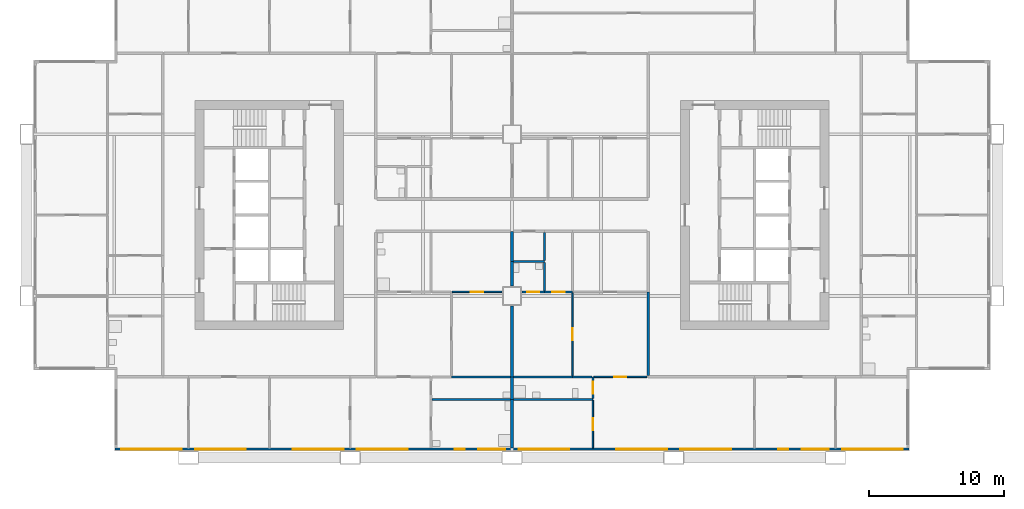
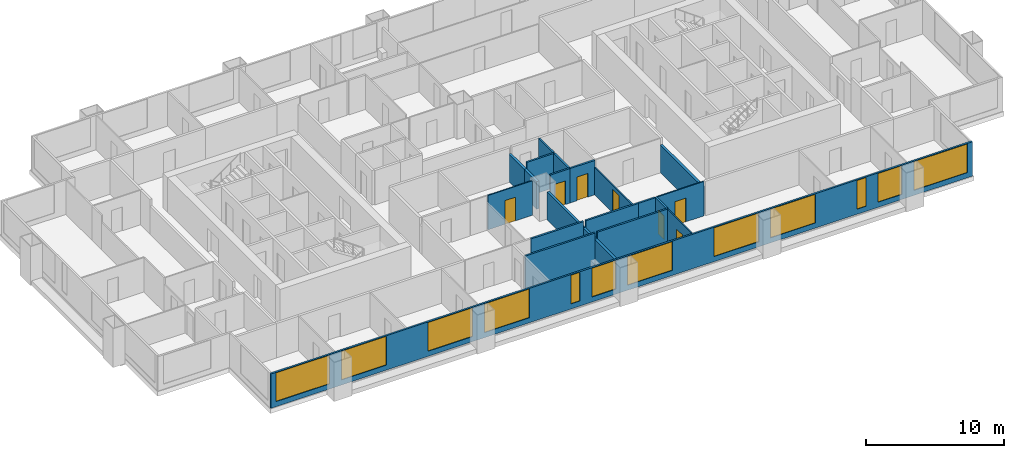
# One storey, part 5 of 11: 22 walls, 12 windows, 7 doors, 19 openings.
"""IFC4 building model written with IfcOpenShell, lengths in metres."""

from ifc_helpers import new_model, si_unit, direction, frame, frame_2d, origin, place, context, subcontext, project, spatial, rectangle, extrude, material, layer, layer_set, type_object, element, fill, save


model = new_model("IFC4")

# Units and contexts
model_context = context("Model", 3, precision=1e-05, world=origin(), true_north=direction((0.0, 1.0)))
body_context = subcontext(model_context, "Body", "Model", "MODEL_VIEW")
ifc_project = project(units=[si_unit("LENGTHUNIT", "METRE"), si_unit("AREAUNIT", "SQUARE_METRE"), si_unit("VOLUMEUNIT", "CUBIC_METRE"), si_unit("PLANEANGLEUNIT", "RADIAN"), si_unit("MASSUNIT", "GRAM", prefix="KILO")], contexts=[model_context])

# Site, building, storey
site_placement = place(None, origin())
site = spatial("IfcSite", under=ifc_project, at=site_placement, CompositionType="ELEMENT")
building_placement = place(site_placement, origin())
building = spatial("IfcBuilding", under=site, at=building_placement, Name="Kitamizu Gate Tower and Museum", CompositionType="ELEMENT")
storey_placement = place(building_placement, frame((0.0, 0.0, 103.5)))
storey = spatial("IfcBuildingStorey", under=building, at=storey_placement, Name="L26", CompositionType="ELEMENT", Elevation=103.5)

# Wall, opening, door
ifc_material_1 = material(Name="Gypsum board on galvanised stud")
ifc_layer_1 = layer(ifc_material_1, 0.10009765625)
ifc_layer_set_1 = layer_set([ifc_layer_1], Name="Gypsum board on galvanised stud")
wall_type_1 = type_object("IfcWallType", Name="Partition 100 NOT RATED", PredefinedType="PARTITIONING", material=ifc_layer_set_1)
wall_1_placement = place(storey_placement, frame((35.25, 24.300048828125, 0.0), z_axis=(0.0, 0.0, 1.0), x_axis=(-1.0, 0.0, 0.0)))
wall_1 = element("IfcWall", 1, at=wall_1_placement, inside=storey, type_object=wall_type_1, Name="Partition L26-022", PredefinedType="PARTITIONING", context=body_context, shape_type="SweptSolid", body=[
    extrude(rectangle(XDim=3.699951171875, YDim=0.10009765625, at=frame_2d((1.85009765625, 0.0))), origin(), (0.0, 0.0, 1.0), 3.050048828125),
])
opening_1_placement = place(wall_1_placement, frame((1.39990234375, 0.0, 0.0)))
opening_1 = element("IfcOpeningElement", 2, at=opening_1_placement, cuts=wall_1, Name="Opening L26-010", PredefinedType="OPENING", context=body_context, shape_type="SweptSolid", body=[
    extrude(rectangle(XDim=0.89990234375, YDim=2.10009765625, at=frame_2d((0.449951171875, 1.050048828125))), frame((0.0, 0.06005859375, 0.0), z_axis=(0.0, -1.0, 0.0), x_axis=(1.0, 0.0, 0.0)), (0.0, 0.0, 1.0), 0.1201171875),
])
ifc_material_2 = material(Name="Timber door set", Category="wood")
door_type_1 = type_object("IfcDoorType", Name="Room door 900", OperationType="NOTDEFINED", PredefinedType="DOOR", material=ifc_material_2)
door_1_placement = place(opening_1_placement, frame((0.89990234375, 0.0, 0.0), x_axis=(-1.0, 0.0, 0.0)))
door_1 = element("IfcDoor", 3, at=door_1_placement, inside=storey, type_object=door_type_1, Name="Door L26-010", OperationType="SINGLE_SWING_LEFT", OverallHeight=2.10009765625, OverallWidth=0.89990234375, PredefinedType="DOOR", context=body_context, shape_type="SweptSolid", body=[
    extrude(rectangle(XDim=0.89990234375, YDim=2.10009765625, at=frame_2d((0.449951171875, 1.050048828125))), frame((0.0, 0.02490234375, 0.0), z_axis=(0.0, -1.0, 0.0), x_axis=(1.0, 0.0, 0.0)), (0.0, 0.0, 1.0), 0.050048828125),
])
fill(opening_1, door_1)

wall_2_placement = place(storey_placement, frame((42.0, 12.719970703125, 0.0), z_axis=(0.0, 0.0, 1.0), x_axis=(0.0, 1.0, 0.0)))
wall_2 = element("IfcWall", 4, at=wall_2_placement, inside=storey, type_object=wall_type_1, Name="Partition L26-050", PredefinedType="PARTITIONING", context=body_context, shape_type="SweptSolid", body=[
    extrude(rectangle(XDim=3.525146484375, YDim=0.10009765625, at=frame_2d((1.7626953125, 0.0))), origin(), (0.0, 0.0, 1.0), 3.050048828125),
])
opening_2_placement = place(wall_2_placement, frame((1.3125, 0.0, 0.0)))
opening_2 = element("IfcOpeningElement", 5, at=opening_2_placement, cuts=wall_2, Name="Opening L26-022", PredefinedType="OPENING", context=body_context, shape_type="SweptSolid", body=[
    extrude(rectangle(XDim=0.89990234375, YDim=2.10009765625, at=frame_2d((0.449951171875, 1.050048828125))), frame((0.0, 0.06005859375, 0.0), z_axis=(0.0, -1.0, 0.0), x_axis=(1.0, 0.0, 0.0)), (0.0, 0.0, 1.0), 0.1201171875),
])
door_2_placement = place(opening_2_placement, origin())
door_2 = element("IfcDoor", 6, at=door_2_placement, inside=storey, type_object=door_type_1, Name="Door L26-022", OperationType="SINGLE_SWING_LEFT", OverallHeight=2.10009765625, OverallWidth=0.89990234375, PredefinedType="DOOR", context=body_context, shape_type="SweptSolid", body=[
    extrude(rectangle(XDim=0.89990234375, YDim=2.10009765625, at=frame_2d((0.449951171875, 1.050048828125))), frame((0.0, 0.02490234375, 0.0), z_axis=(0.0, -1.0, 0.0), x_axis=(1.0, 0.0, 0.0)), (0.0, 0.0, 1.0), 0.050048828125),
])
fill(opening_2, door_2)

wall_3_placement = place(storey_placement, frame((46.0, 18.0, 0.0), z_axis=(0.0, 0.0, 1.0), x_axis=(-1.0, 0.0, 0.0)))
wall_3 = element("IfcWall", 7, at=wall_3_placement, inside=storey, type_object=wall_type_1, Name="Partition L26-055", PredefinedType="PARTITIONING", context=body_context, shape_type="SweptSolid", body=[
    extrude(rectangle(XDim=3.925048828125, YDim=0.10009765625, at=frame_2d((1.96240234375, 0.0))), origin(), (0.0, 0.0, 1.0), 3.050048828125),
])
opening_3_placement = place(wall_3_placement, frame((1.512451171875, 0.0, 0.0)))
opening_3 = element("IfcOpeningElement", 8, at=opening_3_placement, cuts=wall_3, Name="Opening L26-023", PredefinedType="OPENING", context=body_context, shape_type="SweptSolid", body=[
    extrude(rectangle(XDim=0.89990234375, YDim=2.10009765625, at=frame_2d((0.449951171875, 1.050048828125))), frame((0.0, 0.06005859375, 0.0), z_axis=(0.0, -1.0, 0.0), x_axis=(1.0, 0.0, 0.0)), (0.0, 0.0, 1.0), 0.1201171875),
])
door_3_placement = place(opening_3_placement, frame((0.89990234375, 0.0, 0.0), x_axis=(-1.0, 0.0, 0.0)))
door_3 = element("IfcDoor", 9, at=door_3_placement, inside=storey, type_object=door_type_1, Name="Door L26-023", OperationType="SINGLE_SWING_LEFT", OverallHeight=2.10009765625, OverallWidth=0.89990234375, PredefinedType="DOOR", context=body_context, shape_type="SweptSolid", body=[
    extrude(rectangle(XDim=0.89990234375, YDim=2.10009765625, at=frame_2d((0.449951171875, 1.050048828125))), frame((0.0, 0.02490234375, 0.0), z_axis=(0.0, -1.0, 0.0), x_axis=(1.0, 0.0, 0.0)), (0.0, 0.0, 1.0), 0.050048828125),
])
fill(opening_3, door_3)

wall_4_placement = place(storey_placement, frame((40.5, 18.074951171875, 0.0), z_axis=(0.0, 0.0, 1.0), x_axis=(0.0, 1.0, 0.0)))
wall_4 = element("IfcWall", 10, at=wall_4_placement, inside=storey, type_object=wall_type_1, Name="Partition L26-061", PredefinedType="PARTITIONING", context=body_context, shape_type="SweptSolid", body=[
    extrude(rectangle(XDim=6.150146484375, YDim=0.10009765625, at=frame_2d((3.0751953125, 0.0))), origin(), (0.0, 0.0, 1.0), 2.449951171875),
])
opening_4_placement = place(wall_4_placement, frame((2.625, 0.0, 0.0)))
opening_4 = element("IfcOpeningElement", 11, at=opening_4_placement, cuts=wall_4, Name="Opening L26-024", PredefinedType="OPENING", context=body_context, shape_type="SweptSolid", body=[
    extrude(rectangle(XDim=0.89990234375, YDim=2.10009765625, at=frame_2d((0.449951171875, 1.050048828125))), frame((0.0, 0.06005859375, 0.0), z_axis=(0.0, -1.0, 0.0), x_axis=(1.0, 0.0, 0.0)), (0.0, 0.0, 1.0), 0.1201171875),
])
door_4_placement = place(opening_4_placement, origin())
door_4 = element("IfcDoor", 12, at=door_4_placement, inside=storey, type_object=door_type_1, Name="Door L26-024", OperationType="SINGLE_SWING_LEFT", OverallHeight=2.10009765625, OverallWidth=0.89990234375, PredefinedType="DOOR", context=body_context, shape_type="SweptSolid", body=[
    extrude(rectangle(XDim=0.89990234375, YDim=2.10009765625, at=frame_2d((0.449951171875, 1.050048828125))), frame((0.0, 0.02490234375, 0.0), z_axis=(0.0, -1.0, 0.0), x_axis=(1.0, 0.0, 0.0)), (0.0, 0.0, 1.0), 0.050048828125),
])
fill(opening_4, door_4)

# Walls
ifc_material_3 = material(Name="Gypsum board on galvanised stud")
ifc_layer_2 = layer(ifc_material_3, 0.14990234375)
ifc_layer_set_2 = layer_set([ifc_layer_2], Name="Gypsum board on galvanised stud")
wall_type_2 = type_object("IfcWallType", Name="Partition 150", PredefinedType="PARTITIONING", material=ifc_layer_set_2)
wall_5_placement = place(storey_placement, frame((35.89990234375, 16.320068359375, 0.0), z_axis=(0.0, 0.0, 1.0), x_axis=(-1.0, 0.0, 0.0)))
element("IfcWall", 13, at=wall_5_placement, inside=storey, type_object=wall_type_2, Name="Partition L26-012", PredefinedType="PARTITIONING", context=body_context, shape_type="SweptSolid", body=[
    extrude(rectangle(XDim=5.824951171875, YDim=0.14990234375, at=frame_2d((2.91259765625, 0.0))), origin(), (0.0, 0.0, 1.0), 3.050048828125),
])
wall_6_placement = place(storey_placement, frame((35.89990234375, 18.0, 0.0), z_axis=(0.0, 0.0, 1.0), x_axis=(-1.0, 0.0, 0.0)))
element("IfcWall", 14, at=wall_6_placement, inside=storey, type_object=wall_type_2, Name="Partition L26-015", PredefinedType="PARTITIONING", context=body_context, shape_type="SweptSolid", body=[
    extrude(rectangle(XDim=4.39990234375, YDim=0.14990234375, at=frame_2d((2.199951171875, 0.0))), origin(), (0.0, 0.0, 1.0), 3.050048828125),
])
wall_7_placement = place(storey_placement, frame((42.0, 16.320068359375, 0.0), z_axis=(0.0, 0.0, 1.0), x_axis=(-1.0, 0.0, 0.0)))
element("IfcWall", 15, at=wall_7_placement, inside=storey, type_object=wall_type_2, Name="Partition L26-049", PredefinedType="PARTITIONING", context=body_context, shape_type="SweptSolid", body=[
    extrude(rectangle(XDim=5.89990234375, YDim=0.14990234375, at=frame_2d((2.949951171875, 0.0))), origin(), (0.0, 0.0, 1.0), 3.050048828125),
])

# Wall, opening, door
wall_8_placement = place(storey_placement, frame((42.0, 16.39501953125, 0.0), z_axis=(0.0, 0.0, 1.0), x_axis=(0.0, 1.0, 0.0)))
wall_8 = element("IfcWall", 16, at=wall_8_placement, inside=storey, type_object=wall_type_2, Name="Partition L26-051", PredefinedType="PARTITIONING", context=body_context, shape_type="SweptSolid", body=[
    extrude(rectangle(XDim=1.60498046875, YDim=0.14990234375, at=frame_2d((0.802490234375, 0.0))), origin(), (0.0, 0.0, 1.0), 3.050048828125),
])
opening_5_placement = place(wall_8_placement, frame((0.3525390625, 0.0, 0.0)))
opening_5 = element("IfcOpeningElement", 17, at=opening_5_placement, cuts=wall_8, Name="Opening L26-021", PredefinedType="OPENING", context=body_context, shape_type="SweptSolid", body=[
    extrude(rectangle(XDim=0.89990234375, YDim=2.10009765625, at=frame_2d((0.449951171875, 1.050048828125))), frame((0.0, 0.0849609375, 0.0), z_axis=(0.0, -1.0, 0.0), x_axis=(1.0, 0.0, 0.0)), (0.0, 0.0, 1.0), 0.169921875),
])
ifc_material_4 = material(Name="Timber door set", Category="wood")
door_type_2 = type_object("IfcDoorType", Name="Bathroom door 900", OperationType="NOTDEFINED", PredefinedType="DOOR", material=ifc_material_4)
door_5_placement = place(opening_5_placement, origin())
door_5 = element("IfcDoor", 18, at=door_5_placement, inside=storey, type_object=door_type_2, Name="Bathroom door L26-021", OperationType="SINGLE_SWING_RIGHT", OverallHeight=2.10009765625, OverallWidth=0.89990234375, PredefinedType="DOOR", context=body_context, shape_type="SweptSolid", body=[
    extrude(rectangle(XDim=0.89990234375, YDim=2.10009765625, at=frame_2d((0.449951171875, 1.050048828125))), frame((0.0, 0.02490234375, 0.0), z_axis=(0.0, -1.0, 0.0), x_axis=(1.0, 0.0, 0.0)), (0.0, 0.0, 1.0), 0.050048828125),
])
fill(opening_5, door_5)

# Walls
wall_9_placement = place(storey_placement, frame((40.5, 18.0, 0.0), z_axis=(0.0, 0.0, 1.0), x_axis=(-1.0, 0.0, 0.0)))
element("IfcWall", 19, at=wall_9_placement, inside=storey, type_object=wall_type_2, Name="Partition L26-052", PredefinedType="PARTITIONING", context=body_context, shape_type="SweptSolid", body=[
    extrude(rectangle(XDim=4.39990234375, YDim=0.14990234375, at=frame_2d((2.199951171875, 0.0))), origin(), (0.0, 0.0, 1.0), 3.050048828125),
])
wall_10_placement = place(storey_placement, frame((41.925048828125, 18.0, 0.0), z_axis=(0.0, 0.0, 1.0), x_axis=(-1.0, 0.0, 0.0)))
element("IfcWall", 20, at=wall_10_placement, inside=storey, type_object=wall_type_2, Name="Partition L26-053", PredefinedType="PARTITIONING", context=body_context, shape_type="SweptSolid", body=[
    extrude(rectangle(XDim=1.425048828125, YDim=0.14990234375, at=frame_2d((0.71240234375, 0.0))), origin(), (0.0, 0.0, 1.0), 3.050048828125),
])

# Wall, opening, door
wall_11_placement = place(storey_placement, frame((38.39990234375, 24.300048828125, 0.0), z_axis=(0.0, 0.0, 1.0), x_axis=(-1.0, 0.0, 0.0)))
wall_11 = element("IfcWall", 21, at=wall_11_placement, inside=storey, type_object=wall_type_2, Name="Partition L26-062", PredefinedType="PARTITIONING", context=body_context, shape_type="SweptSolid", body=[
    extrude(rectangle(XDim=1.64990234375, YDim=0.14990234375, at=frame_2d((0.824951171875, 0.0))), origin(), (0.0, 0.0, 1.0), 3.050048828125),
])
opening_6_placement = place(wall_11_placement, frame((0.375, 0.0, 0.0)))
opening_6 = element("IfcOpeningElement", 22, at=opening_6_placement, cuts=wall_11, Name="Opening L26-025", PredefinedType="OPENING", context=body_context, shape_type="SweptSolid", body=[
    extrude(rectangle(XDim=0.89990234375, YDim=2.10009765625, at=frame_2d((0.449951171875, 1.050048828125))), frame((0.0, 0.0849609375, 0.0), z_axis=(0.0, -1.0, 0.0), x_axis=(1.0, 0.0, 0.0)), (0.0, 0.0, 1.0), 0.169921875),
])
door_6_placement = place(opening_6_placement, frame((0.89990234375, 0.0, 0.0), x_axis=(-1.0, 0.0, 0.0)))
door_6 = element("IfcDoor", 23, at=door_6_placement, inside=storey, type_object=door_type_2, Name="Bathroom door L26-025", OperationType="SINGLE_SWING_LEFT", OverallHeight=2.10009765625, OverallWidth=0.89990234375, PredefinedType="DOOR", context=body_context, shape_type="SweptSolid", body=[
    extrude(rectangle(XDim=0.89990234375, YDim=2.10009765625, at=frame_2d((0.449951171875, 1.050048828125))), frame((0.0, 0.02490234375, 0.0), z_axis=(0.0, -1.0, 0.0), x_axis=(1.0, 0.0, 0.0)), (0.0, 0.0, 1.0), 0.050048828125),
])
fill(opening_6, door_6)

wall_12_placement = place(storey_placement, frame((40.5, 24.300048828125, 0.0), z_axis=(0.0, 0.0, 1.0), x_axis=(-1.0, 0.0, 0.0)))
wall_12 = element("IfcWall", 24, at=wall_12_placement, inside=storey, type_object=wall_type_2, Name="Partition L26-063", PredefinedType="PARTITIONING", context=body_context, shape_type="SweptSolid", body=[
    extrude(rectangle(XDim=2.10009765625, YDim=0.14990234375, at=frame_2d((1.050048828125, 0.0))), origin(), (0.0, 0.0, 1.0), 3.050048828125),
])
opening_7_placement = place(wall_12_placement, frame((0.60009765625, 0.0, 0.0)))
opening_7 = element("IfcOpeningElement", 25, at=opening_7_placement, cuts=wall_12, Name="Opening L26-026", PredefinedType="OPENING", context=body_context, shape_type="SweptSolid", body=[
    extrude(rectangle(XDim=0.89990234375, YDim=2.10009765625, at=frame_2d((0.449951171875, 1.050048828125))), frame((0.0, 0.0849609375, 0.0), z_axis=(0.0, -1.0, 0.0), x_axis=(1.0, 0.0, 0.0)), (0.0, 0.0, 1.0), 0.169921875),
])
door_7_placement = place(opening_7_placement, frame((0.89990234375, 0.0, 0.0), x_axis=(-1.0, 0.0, 0.0)))
door_7 = element("IfcDoor", 26, at=door_7_placement, inside=storey, type_object=door_type_2, Name="Bathroom door L26-026", OperationType="SINGLE_SWING_RIGHT", OverallHeight=2.10009765625, OverallWidth=0.89990234375, PredefinedType="DOOR", context=body_context, shape_type="SweptSolid", body=[
    extrude(rectangle(XDim=0.89990234375, YDim=2.10009765625, at=frame_2d((0.449951171875, 1.050048828125))), frame((0.0, 0.02490234375, 0.0), z_axis=(0.0, -1.0, 0.0), x_axis=(1.0, 0.0, 0.0)), (0.0, 0.0, 1.0), 0.050048828125),
])
fill(opening_7, door_7)

# Walls
wall_13_placement = place(storey_placement, frame((38.39990234375, 26.550048828125, 0.0), z_axis=(0.0, 0.0, 1.0), x_axis=(-1.0, 0.0, 0.0)))
element("IfcWall", 27, at=wall_13_placement, inside=storey, type_object=wall_type_2, Name="Partition L26-066", PredefinedType="PARTITIONING", context=body_context, shape_type="SweptSolid", body=[
    extrude(rectangle(XDim=2.2998046875, YDim=0.14990234375, at=frame_2d((1.14990234375, 0.0))), origin(), (0.0, 0.0, 1.0), 3.050048828125),
])
wall_14_placement = place(storey_placement, frame((38.39990234375, 24.375, 0.0), z_axis=(0.0, 0.0, 1.0), x_axis=(0.0, 1.0, 0.0)))
element("IfcWall", 28, at=wall_14_placement, inside=storey, type_object=wall_type_2, Name="Partition L26-067", PredefinedType="PARTITIONING", context=body_context, shape_type="SweptSolid", body=[
    extrude(rectangle(XDim=2.10009765625, YDim=0.14990234375, at=frame_2d((1.050048828125, 0.0))), origin(), (0.0, 0.0, 1.0), 3.050048828125),
])
wall_15_placement = place(storey_placement, frame((38.39990234375, 26.625, 0.0), z_axis=(0.0, 0.0, 1.0), x_axis=(0.0, 1.0, 0.0)))
element("IfcWall", 29, at=wall_15_placement, inside=storey, type_object=wall_type_2, Name="Partition L26-068", PredefinedType="PARTITIONING", context=body_context, shape_type="SweptSolid", body=[
    extrude(rectangle(XDim=2.074951171875, YDim=0.14990234375, at=frame_2d((1.03759765625, 0.0))), origin(), (0.0, 0.0, 1.0), 3.050048828125),
])
ifc_material_5 = material(Name="Gypsum board on galvanised stud")
ifc_layer_3 = layer(ifc_material_5, 0.199951171875)
ifc_layer_set_3 = layer_set([ifc_layer_3], Name="Gypsum board on galvanised stud")
wall_type_3 = type_object("IfcWallType", Name="Partition 200", PredefinedType="PARTITIONING", material=ifc_layer_set_3)
wall_16_placement = place(storey_placement, frame((36.0, 12.719970703125, 0.0), z_axis=(0.0, 0.0, 1.0), x_axis=(0.0, 1.0, 0.0)))
element("IfcWall", 30, at=wall_16_placement, inside=storey, type_object=wall_type_3, Name="Partition L26-013", PredefinedType="PARTITIONING", context=body_context, shape_type="SweptSolid", body=[
    extrude(rectangle(XDim=3.60009765625, YDim=0.199951171875, at=frame_2d((1.800048828125, 0.0))), origin(), (0.0, 0.0, 1.0), 2.449951171875),
])
wall_17_placement = place(storey_placement, frame((36.0, 16.320068359375, 0.0), z_axis=(0.0, 0.0, 1.0), x_axis=(0.0, 1.0, 0.0)))
element("IfcWall", 31, at=wall_17_placement, inside=storey, type_object=wall_type_3, Name="Partition L26-016", PredefinedType="PARTITIONING", context=body_context, shape_type="SweptSolid", body=[
    extrude(rectangle(XDim=1.679931640625, YDim=0.199951171875, at=frame_2d((0.83984375, 0.0))), origin(), (0.0, 0.0, 1.0), 2.449951171875),
])
wall_18_placement = place(storey_placement, frame((36.0, 18.0, 0.0), z_axis=(0.0, 0.0, 1.0), x_axis=(0.0, 1.0, 0.0)))
element("IfcWall", 32, at=wall_18_placement, inside=storey, type_object=wall_type_3, Name="Partition L26-023", PredefinedType="PARTITIONING", context=body_context, shape_type="SweptSolid", body=[
    extrude(rectangle(XDim=5.25, YDim=0.199951171875, at=frame_2d((2.625, 0.0))), origin(), (0.0, 0.0, 1.0), 2.449951171875),
])
wall_19_placement = place(storey_placement, frame((36.0, 24.75, 0.0), z_axis=(0.0, 0.0, 1.0), x_axis=(0.0, 1.0, 0.0)))
element("IfcWall", 33, at=wall_19_placement, inside=storey, type_object=wall_type_3, Name="Partition L26-027", PredefinedType="PARTITIONING", context=body_context, shape_type="SweptSolid", body=[
    extrude(rectangle(XDim=1.800048828125, YDim=0.199951171875, at=frame_2d((0.89990234375, 0.0))), origin(), (0.0, 0.0, 1.0), 2.449951171875),
])
wall_20_placement = place(storey_placement, frame((36.0, 26.550048828125, 0.0), z_axis=(0.0, 0.0, 1.0), x_axis=(0.0, 1.0, 0.0)))
element("IfcWall", 34, at=wall_20_placement, inside=storey, type_object=wall_type_3, Name="Partition L26-028", PredefinedType="PARTITIONING", context=body_context, shape_type="SweptSolid", body=[
    extrude(rectangle(XDim=2.25, YDim=0.199951171875, at=frame_2d((1.125, 0.0))), origin(), (0.0, 0.0, 1.0), 2.449951171875),
])
wall_21_placement = place(storey_placement, frame((46.10009765625, 18.10009765625, 0.0), z_axis=(0.0, 0.0, 1.0), x_axis=(0.0, 1.0, 0.0)))
element("IfcWall", 35, at=wall_21_placement, inside=storey, type_object=wall_type_3, Name="Partition L26-065", PredefinedType="PARTITIONING", context=body_context, shape_type="SweptSolid", body=[
    extrude(rectangle(XDim=6.199951171875, YDim=0.199951171875, at=frame_2d((3.10009765625, 0.0))), origin(), (0.0, 0.0, 1.0), 2.449951171875),
])

# Wall, openings, windows
ifc_material_6 = material(Name="Bronze anodised aluminium frame with insulated spandrel and tinted glass", Category="aluminium")
ifc_layer_4 = layer(ifc_material_6, 0.14990234375)
ifc_layer_set_4 = layer_set([ifc_layer_4], Name="Bronze anodised aluminium frame with insulated spandrel and tinted glass")
wall_type_4 = type_object("IfcWallType", Name="WINDOW WALL 150 BRONZE FRAME EI 30", PredefinedType="ELEMENTEDWALL", material=ifc_layer_set_4)
wall_22_placement = place(storey_placement, frame((6.56005859375, 12.635009765625, 0.0), z_axis=(0.0, 0.0, 1.0), x_axis=(1.0, 0.0, 0.0)))
wall_22 = element("IfcWall", 36, at=wall_22_placement, inside=storey, type_object=wall_type_4, Name="Window wall south L26", PredefinedType="ELEMENTEDWALL", context=body_context, shape_type="SweptSolid", body=[
    extrude(rectangle(XDim=58.8798828125, YDim=0.14990234375, at=frame_2d((29.43994140625, 0.0))), origin(), (0.0, 0.0, 1.0), 3.050048828125),
])
opening_8_placement = place(wall_22_placement, frame((0.43994140625, 0.0, 0.449951171875)))
opening_8 = element("IfcOpeningElement", 37, at=opening_8_placement, cuts=wall_22, Name="Opening W15", PredefinedType="OPENING", context=body_context, shape_type="SweptSolid", body=[
    extrude(rectangle(XDim=4.5, YDim=2.550048828125, at=frame_2d((2.25, 1.27490234375))), frame((0.0, 0.0849609375, 0.0), z_axis=(0.0, -1.0, 0.0), x_axis=(1.0, 0.0, 0.0)), (0.0, 0.0, 1.0), 0.169921875),
])
opening_9_placement = place(wall_22_placement, frame((5.93994140625, 0.0, 0.449951171875)))
opening_9 = element("IfcOpeningElement", 38, at=opening_9_placement, cuts=wall_22, Name="Opening W36", PredefinedType="OPENING", context=body_context, shape_type="SweptSolid", body=[
    extrude(rectangle(XDim=3.75, YDim=2.550048828125, at=frame_2d((1.875, 1.27490234375))), frame((0.0, 0.0849609375, 0.0), z_axis=(0.0, -1.0, 0.0), x_axis=(1.0, 0.0, 0.0)), (0.0, 0.0, 1.0), 0.169921875),
])
opening_10_placement = place(wall_22_placement, frame((13.18994140625, 0.0, 0.449951171875)))
opening_10 = element("IfcOpeningElement", 39, at=opening_10_placement, cuts=wall_22, Name="Opening W36", PredefinedType="OPENING", context=body_context, shape_type="SweptSolid", body=[
    extrude(rectangle(XDim=3.75, YDim=2.550048828125, at=frame_2d((1.875, 1.27490234375))), frame((0.0, 0.0849609375, 0.0), z_axis=(0.0, -1.0, 0.0), x_axis=(1.0, 0.0, 0.0)), (0.0, 0.0, 1.0), 0.169921875),
])
opening_11_placement = place(wall_22_placement, frame((17.93994140625, 0.0, 0.449951171875)))
opening_11 = element("IfcOpeningElement", 40, at=opening_11_placement, cuts=wall_22, Name="Opening W36", PredefinedType="OPENING", context=body_context, shape_type="SweptSolid", body=[
    extrude(rectangle(XDim=3.75, YDim=2.550048828125, at=frame_2d((1.875, 1.27490234375))), frame((0.0, 0.0849609375, 0.0), z_axis=(0.0, -1.0, 0.0), x_axis=(1.0, 0.0, 0.0)), (0.0, 0.0, 1.0), 0.169921875),
])
opening_12_placement = place(wall_22_placement, frame((25.18994140625, 0.0, 0.449951171875)))
opening_12 = element("IfcOpeningElement", 41, at=opening_12_placement, cuts=wall_22, Name="Opening W25", PredefinedType="OPENING", context=body_context, shape_type="SweptSolid", body=[
    extrude(rectangle(XDim=0.75, YDim=2.550048828125, at=frame_2d((0.375, 1.27490234375))), frame((0.0, 0.0849609375, 0.0), z_axis=(0.0, -1.0, 0.0), x_axis=(1.0, 0.0, 0.0)), (0.0, 0.0, 1.0), 0.169921875),
])
opening_13_placement = place(wall_22_placement, frame((26.93994140625, 0.0, 0.449951171875)))
opening_13 = element("IfcOpeningElement", 42, at=opening_13_placement, cuts=wall_22, Name="Opening W2", PredefinedType="OPENING", context=body_context, shape_type="SweptSolid", body=[
    extrude(rectangle(XDim=2.0, YDim=2.550048828125, at=frame_2d((1.0, 1.27490234375))), frame((0.0, 0.0849609375, 0.0), z_axis=(0.0, -1.0, 0.0), x_axis=(1.0, 0.0, 0.0)), (0.0, 0.0, 1.0), 0.169921875),
])
opening_14_placement = place(wall_22_placement, frame((29.93994140625, 0.0, 0.449951171875)))
opening_14 = element("IfcOpeningElement", 43, at=opening_14_placement, cuts=wall_22, Name="Opening W36", PredefinedType="OPENING", context=body_context, shape_type="SweptSolid", body=[
    extrude(rectangle(XDim=3.75, YDim=2.550048828125, at=frame_2d((1.875, 1.27490234375))), frame((0.0, 0.0849609375, 0.0), z_axis=(0.0, -1.0, 0.0), x_axis=(1.0, 0.0, 0.0)), (0.0, 0.0, 1.0), 0.169921875),
])
opening_15_placement = place(wall_22_placement, frame((37.18994140625, 0.0, 0.449951171875)))
opening_15 = element("IfcOpeningElement", 44, at=opening_15_placement, cuts=wall_22, Name="Opening W36", PredefinedType="OPENING", context=body_context, shape_type="SweptSolid", body=[
    extrude(rectangle(XDim=3.75, YDim=2.550048828125, at=frame_2d((1.875, 1.27490234375))), frame((0.0, 0.0849609375, 0.0), z_axis=(0.0, -1.0, 0.0), x_axis=(1.0, 0.0, 0.0)), (0.0, 0.0, 1.0), 0.169921875),
])
opening_16_placement = place(wall_22_placement, frame((41.93994140625, 0.0, 0.449951171875)))
opening_16 = element("IfcOpeningElement", 45, at=opening_16_placement, cuts=wall_22, Name="Opening W36", PredefinedType="OPENING", context=body_context, shape_type="SweptSolid", body=[
    extrude(rectangle(XDim=3.75, YDim=2.550048828125, at=frame_2d((1.875, 1.27490234375))), frame((0.0, 0.0849609375, 0.0), z_axis=(0.0, -1.0, 0.0), x_axis=(1.0, 0.0, 0.0)), (0.0, 0.0, 1.0), 0.169921875),
])
opening_17_placement = place(wall_22_placement, frame((49.18994140625, 0.0, 0.449951171875)))
opening_17 = element("IfcOpeningElement", 46, at=opening_17_placement, cuts=wall_22, Name="Opening W25", PredefinedType="OPENING", context=body_context, shape_type="SweptSolid", body=[
    extrude(rectangle(XDim=0.75, YDim=2.550048828125, at=frame_2d((0.375, 1.27490234375))), frame((0.0, 0.0849609375, 0.0), z_axis=(0.0, -1.0, 0.0), x_axis=(1.0, 0.0, 0.0)), (0.0, 0.0, 1.0), 0.169921875),
])
opening_18_placement = place(wall_22_placement, frame((50.93994140625, 0.0, 0.449951171875)))
opening_18 = element("IfcOpeningElement", 47, at=opening_18_placement, cuts=wall_22, Name="Opening W2", PredefinedType="OPENING", context=body_context, shape_type="SweptSolid", body=[
    extrude(rectangle(XDim=2.0, YDim=2.550048828125, at=frame_2d((1.0, 1.27490234375))), frame((0.0, 0.0849609375, 0.0), z_axis=(0.0, -1.0, 0.0), x_axis=(1.0, 0.0, 0.0)), (0.0, 0.0, 1.0), 0.169921875),
])
opening_19_placement = place(wall_22_placement, frame((53.93994140625, 0.0, 0.449951171875)))
opening_19 = element("IfcOpeningElement", 48, at=opening_19_placement, cuts=wall_22, Name="Opening W15", PredefinedType="OPENING", context=body_context, shape_type="SweptSolid", body=[
    extrude(rectangle(XDim=4.5, YDim=2.550048828125, at=frame_2d((2.25, 1.27490234375))), frame((0.0, 0.0849609375, 0.0), z_axis=(0.0, -1.0, 0.0), x_axis=(1.0, 0.0, 0.0)), (0.0, 0.0, 1.0), 0.169921875),
])
ifc_material_7 = material(Name="Bronze anodised aluminium frame, tinted triple glazing", Category="aluminium")
window_type_1 = type_object("IfcWindowType", Name="WINDOW 2000 x 2550 SILL 450", PartitioningType="SINGLE_PANEL", PredefinedType="WINDOW", material=ifc_material_7)
window_1_placement = place(opening_13_placement, origin())
window_1 = element("IfcWindow", 49, at=window_1_placement, inside=storey, type_object=window_type_1, Name="Window W2 L26", OverallHeight=2.550048828125, OverallWidth=2.0, PartitioningType="SINGLE_PANEL", PredefinedType="WINDOW", context=body_context, shape_type="SweptSolid", body=[
    extrude(rectangle(XDim=2.0, YDim=2.550048828125, at=frame_2d((1.0, 1.27490234375))), frame((0.0, 0.030029296875, 0.0), z_axis=(0.0, -1.0, 0.0), x_axis=(1.0, 0.0, 0.0)), (0.0, 0.0, 1.0), 0.06005859375),
])
fill(opening_13, window_1)
window_2_placement = place(opening_18_placement, origin())
window_2 = element("IfcWindow", 50, at=window_2_placement, inside=storey, type_object=window_type_1, Name="Window W2 L26", OverallHeight=2.550048828125, OverallWidth=2.0, PartitioningType="SINGLE_PANEL", PredefinedType="WINDOW", context=body_context, shape_type="SweptSolid", body=[
    extrude(rectangle(XDim=2.0, YDim=2.550048828125, at=frame_2d((1.0, 1.27490234375))), frame((0.0, 0.030029296875, 0.0), z_axis=(0.0, -1.0, 0.0), x_axis=(1.0, 0.0, 0.0)), (0.0, 0.0, 1.0), 0.06005859375),
])
fill(opening_18, window_2)
ifc_material_8 = material(Name="Bronze anodised aluminium frame, tinted triple glazing", Category="aluminium")
window_type_2 = type_object("IfcWindowType", Name="WINDOW 3750 x 2550 SILL 450", PartitioningType="SINGLE_PANEL", PredefinedType="WINDOW", material=ifc_material_8)
window_3_placement = place(opening_9_placement, origin())
window_3 = element("IfcWindow", 51, at=window_3_placement, inside=storey, type_object=window_type_2, Name="Window W36 L26", OverallHeight=2.550048828125, OverallWidth=3.75, PartitioningType="SINGLE_PANEL", PredefinedType="WINDOW", context=body_context, shape_type="SweptSolid", body=[
    extrude(rectangle(XDim=3.75, YDim=2.550048828125, at=frame_2d((1.875, 1.27490234375))), frame((0.0, 0.030029296875, 0.0), z_axis=(0.0, -1.0, 0.0), x_axis=(1.0, 0.0, 0.0)), (0.0, 0.0, 1.0), 0.06005859375),
])
fill(opening_9, window_3)
window_4_placement = place(opening_10_placement, origin())
window_4 = element("IfcWindow", 52, at=window_4_placement, inside=storey, type_object=window_type_2, Name="Window W36 L26", OverallHeight=2.550048828125, OverallWidth=3.75, PartitioningType="SINGLE_PANEL", PredefinedType="WINDOW", context=body_context, shape_type="SweptSolid", body=[
    extrude(rectangle(XDim=3.75, YDim=2.550048828125, at=frame_2d((1.875, 1.27490234375))), frame((0.0, 0.030029296875, 0.0), z_axis=(0.0, -1.0, 0.0), x_axis=(1.0, 0.0, 0.0)), (0.0, 0.0, 1.0), 0.06005859375),
])
fill(opening_10, window_4)
window_5_placement = place(opening_11_placement, origin())
window_5 = element("IfcWindow", 53, at=window_5_placement, inside=storey, type_object=window_type_2, Name="Window W36 L26", OverallHeight=2.550048828125, OverallWidth=3.75, PartitioningType="SINGLE_PANEL", PredefinedType="WINDOW", context=body_context, shape_type="SweptSolid", body=[
    extrude(rectangle(XDim=3.75, YDim=2.550048828125, at=frame_2d((1.875, 1.27490234375))), frame((0.0, 0.030029296875, 0.0), z_axis=(0.0, -1.0, 0.0), x_axis=(1.0, 0.0, 0.0)), (0.0, 0.0, 1.0), 0.06005859375),
])
fill(opening_11, window_5)
window_6_placement = place(opening_14_placement, origin())
window_6 = element("IfcWindow", 54, at=window_6_placement, inside=storey, type_object=window_type_2, Name="Window W36 L26", OverallHeight=2.550048828125, OverallWidth=3.75, PartitioningType="SINGLE_PANEL", PredefinedType="WINDOW", context=body_context, shape_type="SweptSolid", body=[
    extrude(rectangle(XDim=3.75, YDim=2.550048828125, at=frame_2d((1.875, 1.27490234375))), frame((0.0, 0.030029296875, 0.0), z_axis=(0.0, -1.0, 0.0), x_axis=(1.0, 0.0, 0.0)), (0.0, 0.0, 1.0), 0.06005859375),
])
fill(opening_14, window_6)
window_7_placement = place(opening_15_placement, origin())
window_7 = element("IfcWindow", 55, at=window_7_placement, inside=storey, type_object=window_type_2, Name="Window W36 L26", OverallHeight=2.550048828125, OverallWidth=3.75, PartitioningType="SINGLE_PANEL", PredefinedType="WINDOW", context=body_context, shape_type="SweptSolid", body=[
    extrude(rectangle(XDim=3.75, YDim=2.550048828125, at=frame_2d((1.875, 1.27490234375))), frame((0.0, 0.030029296875, 0.0), z_axis=(0.0, -1.0, 0.0), x_axis=(1.0, 0.0, 0.0)), (0.0, 0.0, 1.0), 0.06005859375),
])
fill(opening_15, window_7)
window_8_placement = place(opening_16_placement, origin())
window_8 = element("IfcWindow", 56, at=window_8_placement, inside=storey, type_object=window_type_2, Name="Window W36 L26", OverallHeight=2.550048828125, OverallWidth=3.75, PartitioningType="SINGLE_PANEL", PredefinedType="WINDOW", context=body_context, shape_type="SweptSolid", body=[
    extrude(rectangle(XDim=3.75, YDim=2.550048828125, at=frame_2d((1.875, 1.27490234375))), frame((0.0, 0.030029296875, 0.0), z_axis=(0.0, -1.0, 0.0), x_axis=(1.0, 0.0, 0.0)), (0.0, 0.0, 1.0), 0.06005859375),
])
fill(opening_16, window_8)
ifc_material_9 = material(Name="Bronze anodised aluminium frame, tinted triple glazing", Category="aluminium")
window_type_3 = type_object("IfcWindowType", Name="WINDOW 4500 x 2550 SILL 450", PartitioningType="SINGLE_PANEL", PredefinedType="WINDOW", material=ifc_material_9)
window_9_placement = place(opening_8_placement, origin())
window_9 = element("IfcWindow", 57, at=window_9_placement, inside=storey, type_object=window_type_3, Name="Window W15 L26", OverallHeight=2.550048828125, OverallWidth=4.5, PartitioningType="SINGLE_PANEL", PredefinedType="WINDOW", context=body_context, shape_type="SweptSolid", body=[
    extrude(rectangle(XDim=4.5, YDim=2.550048828125, at=frame_2d((2.25, 1.27490234375))), frame((0.0, 0.030029296875, 0.0), z_axis=(0.0, -1.0, 0.0), x_axis=(1.0, 0.0, 0.0)), (0.0, 0.0, 1.0), 0.06005859375),
])
fill(opening_8, window_9)
window_10_placement = place(opening_19_placement, origin())
window_10 = element("IfcWindow", 58, at=window_10_placement, inside=storey, type_object=window_type_3, Name="Window W15 L26", OverallHeight=2.550048828125, OverallWidth=4.5, PartitioningType="SINGLE_PANEL", PredefinedType="WINDOW", context=body_context, shape_type="SweptSolid", body=[
    extrude(rectangle(XDim=4.5, YDim=2.550048828125, at=frame_2d((2.25, 1.27490234375))), frame((0.0, 0.030029296875, 0.0), z_axis=(0.0, -1.0, 0.0), x_axis=(1.0, 0.0, 0.0)), (0.0, 0.0, 1.0), 0.06005859375),
])
fill(opening_19, window_10)
ifc_material_10 = material(Name="Bronze anodised aluminium frame, tinted triple glazing", Category="aluminium")
window_type_4 = type_object("IfcWindowType", Name="WINDOW 750 x 2550 SILL 450", PartitioningType="SINGLE_PANEL", PredefinedType="WINDOW", material=ifc_material_10)
window_11_placement = place(opening_12_placement, origin())
window_11 = element("IfcWindow", 59, at=window_11_placement, inside=storey, type_object=window_type_4, Name="Window W25 L26", OverallHeight=2.550048828125, OverallWidth=0.75, PartitioningType="SINGLE_PANEL", PredefinedType="WINDOW", context=body_context, shape_type="SweptSolid", body=[
    extrude(rectangle(XDim=0.75, YDim=2.550048828125, at=frame_2d((0.375, 1.27490234375))), frame((0.0, 0.030029296875, 0.0), z_axis=(0.0, -1.0, 0.0), x_axis=(1.0, 0.0, 0.0)), (0.0, 0.0, 1.0), 0.06005859375),
])
fill(opening_12, window_11)
window_12_placement = place(opening_17_placement, origin())
window_12 = element("IfcWindow", 60, at=window_12_placement, inside=storey, type_object=window_type_4, Name="Window W25 L26", OverallHeight=2.550048828125, OverallWidth=0.75, PartitioningType="SINGLE_PANEL", PredefinedType="WINDOW", context=body_context, shape_type="SweptSolid", body=[
    extrude(rectangle(XDim=0.75, YDim=2.550048828125, at=frame_2d((0.375, 1.27490234375))), frame((0.0, 0.030029296875, 0.0), z_axis=(0.0, -1.0, 0.0), x_axis=(1.0, 0.0, 0.0)), (0.0, 0.0, 1.0), 0.06005859375),
])
fill(opening_17, window_12)

save(model, "model.ifc")
